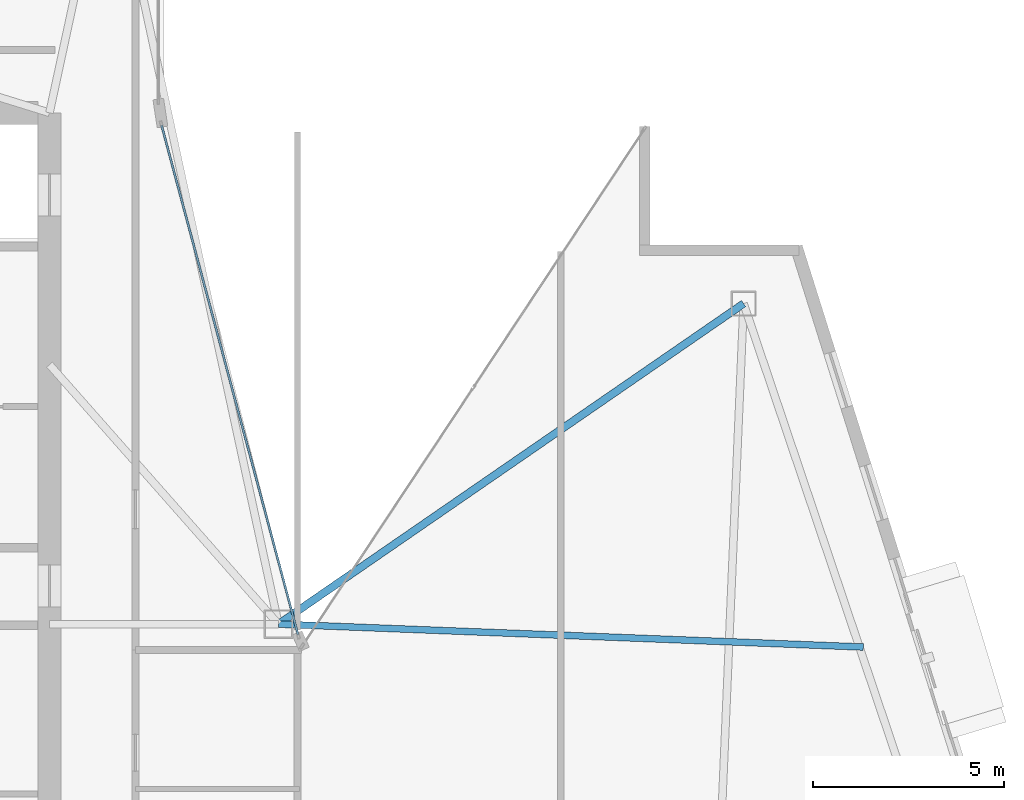
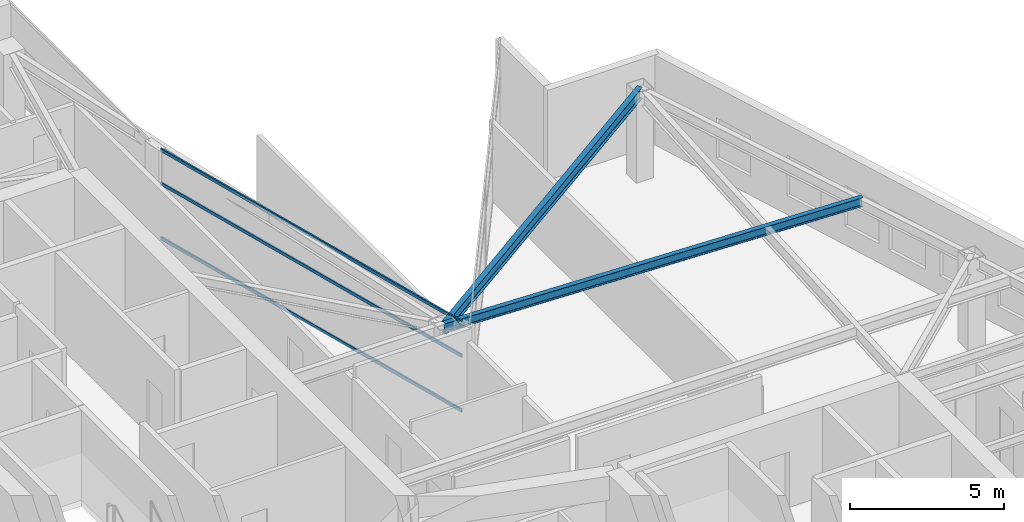
# One storey, part 12 of 28: 3 members, 2 beams, 1 element without a shape of its own.
"""IFC4 building model written with IfcOpenShell, lengths in metres."""

from ifc_helpers import new_model, si_unit, direction, frame, origin, origin_2d, place, context, subcontext, project, spatial, hollow_rectangle, i_section, extrude, material, layer, layer_set, material_profile, profile_set, type_object, element, aggregate, save


model = new_model("IFC4")

# Units and contexts
model_context = context("Model", 3, precision=1e-05, world=origin(), true_north=direction((0.0, 1.0)))
body_context = subcontext(model_context, "Body", "Model", "MODEL_VIEW")
ifc_project = project(units=[si_unit("LENGTHUNIT", "METRE"), si_unit("AREAUNIT", "SQUARE_METRE"), si_unit("VOLUMEUNIT", "CUBIC_METRE"), si_unit("PLANEANGLEUNIT", "RADIAN"), si_unit("MASSUNIT", "GRAM", prefix="KILO")], contexts=[model_context])

# Site, building, storey
site_placement = place(None, origin())
site = spatial("IfcSite", under=ifc_project, at=site_placement, CompositionType="ELEMENT")
building_placement = place(site_placement, origin())
building = spatial("IfcBuilding", under=site, at=building_placement, Name="Calvorn Quay Hotel", CompositionType="ELEMENT")
storey_placement = place(building_placement, frame((0.0, 0.0, 267.300048828125)))
storey = spatial("IfcBuildingStorey", under=building, at=storey_placement, Name="L66", CompositionType="ELEMENT", Elevation=267.300048828125)

# Beams
ifc_material_1 = material(Name="Steel Q355B", Category="steel")
ifc_material_profile_1 = material_profile(ifc_material_1, i_section(OverallWidth=0.175048828125, OverallDepth=0.35009765625, WebThickness=0.007080078125, FlangeThickness=0.010986328125, FilletRadius=0.013916015625, at=origin_2d()), Name="HN350x175x7x11")
ifc_profile_set_1 = profile_set([ifc_material_profile_1], Name="Steel Q355B")
beam_type_1 = type_object("IfcBeamType", Name="BM-JOIST-SEC", PredefinedType="JOIST", material=ifc_profile_set_1)
beam_1_placement = place(storey_placement, frame((21.0, 25.0, 3.364990234375), z_axis=(0.999234392811, -0.039123244039, 0.0), x_axis=(0.039123244039, 0.999234392811, 0.0)))
element("IfcBeam", 1, at=beam_1_placement, inside=storey, type_object=beam_type_1, Name="Beam BJ-L66-E3", PredefinedType="JOIST", context=body_context, shape_type="SweptSolid", body=[
    extrude(i_section(OverallWidth=0.175048828125, OverallDepth=0.35009765625, WebThickness=0.007080078125, FlangeThickness=0.010986328125, FilletRadius=0.013916015625, at=origin_2d()), origin(), (0.0, 0.0, 1.0), 15.338623046875),
])
ifc_material_2 = material(Name="Steel Q355B", Category="steel")
ifc_material_profile_2 = material_profile(ifc_material_2, i_section(OverallWidth=0.199951171875, OverallDepth=0.449951171875, WebThickness=0.009033203125, FlangeThickness=0.013916015625, FilletRadius=0.01611328125, at=origin_2d()), Name="HN450x200x9x14")
ifc_profile_set_2 = profile_set([ifc_material_profile_2], Name="Steel Q355B")
beam_type_2 = type_object("IfcBeamType", Name="BM-SPANDREL-Z3", PredefinedType="SPANDREL", material=ifc_profile_set_2)
beam_2_placement = place(storey_placement, frame((33.19091796875, 33.39990234375, 3.31494140625), z_axis=(-0.823453496714, -0.567383766731, 0.0), x_axis=(0.567383766731, -0.823453496714, 0.0)))
element("IfcBeam", 2, at=beam_2_placement, inside=storey, type_object=beam_type_2, Name="Beam BSP-L66-E3", PredefinedType="SPANDREL", context=body_context, shape_type="SweptSolid", body=[
    extrude(i_section(OverallWidth=0.199951171875, OverallDepth=0.449951171875, WebThickness=0.009033203125, FlangeThickness=0.013916015625, FilletRadius=0.01611328125, at=origin_2d()), origin(), (0.0, 0.0, 1.0), 14.8046875),
])

# Curtain wall, members
ifc_material_3 = material(Name="Champagne Bronze Anodised Aluminium and Low-E Glass", Category="aluminium")
ifc_layer = layer(ifc_material_3, 0.219970703125)
ifc_layer_set = layer_set([ifc_layer], Name="CW-SYS-Z4")
curtain_wall_type = type_object("IfcCurtainWallType", Name="CW-SYS-Z4", PredefinedType="NOTDEFINED", material=ifc_layer_set)
curtain_wall_placement = place(storey_placement, origin())
curtain_wall = element("IfcCurtainWall", 3, at=curtain_wall_placement, inside=storey, type_object=curtain_wall_type, Name="Inner Court Curtain Wall L66-IC1", PredefinedType="NOTDEFINED")
ifc_material_4 = material(Name="Champagne Bronze Anodised Aluminium 6063-T6", Category="aluminium")
ifc_material_profile_3 = material_profile(ifc_material_4, hollow_rectangle(XDim=0.054931640625, YDim=0.1298828125, WallThickness=0.003173828125, at=origin_2d()), Name="ALU-T130x55x3.2")
ifc_profile_set_3 = profile_set([ifc_material_profile_3], Name="Champagne Bronze Anodised Aluminium 6063-T6")
member_type = type_object("IfcMemberType", Name="CW-SYS-Z4-TRN", PredefinedType="USERDEFINED", material=ifc_profile_set_3)
member_1_placement = place(storey_placement, frame((21.512451171875, 24.72802734375, 0.030029296875), z_axis=(-0.258781136883, 0.965935982969, 0.0), x_axis=(-0.965935982969, -0.258781136883, 0.0)))
member_1 = element("IfcMember", 4, at=member_1_placement, type_object=member_type, Name="CW-L66-IC1 transom 1.1", ObjectType="TRANSOM", PredefinedType="USERDEFINED", context=body_context, shape_type="SweptSolid", body=[
    extrude(hollow_rectangle(XDim=0.054931640625, YDim=0.1298828125, WallThickness=0.003173828125, at=origin_2d()), origin(), (0.0, 0.0, 1.0), 13.814453125),
])
member_2_placement = place(storey_placement, frame((21.512451171875, 24.72802734375, 2.199951171875), z_axis=(-0.258781136883, 0.965935982969, 0.0), x_axis=(-0.965935982969, -0.258781136883, 0.0)))
member_2 = element("IfcMember", 5, at=member_2_placement, type_object=member_type, Name="CW-L66-IC1 transom 1.2", ObjectType="TRANSOM", PredefinedType="USERDEFINED", context=body_context, shape_type="SweptSolid", body=[
    extrude(hollow_rectangle(XDim=0.054931640625, YDim=0.1298828125, WallThickness=0.003173828125, at=origin_2d()), origin(), (0.0, 0.0, 1.0), 13.814453125),
])
member_3_placement = place(storey_placement, frame((21.512451171875, 24.72802734375, 3.530029296875), z_axis=(-0.258781136883, 0.965935982969, 0.0), x_axis=(-0.965935982969, -0.258781136883, 0.0)))
member_3 = element("IfcMember", 6, at=member_3_placement, type_object=member_type, Name="CW-L66-IC1 transom 1.3", ObjectType="TRANSOM", PredefinedType="USERDEFINED", context=body_context, shape_type="SweptSolid", body=[
    extrude(hollow_rectangle(XDim=0.054931640625, YDim=0.1298828125, WallThickness=0.003173828125, at=origin_2d()), origin(), (0.0, 0.0, 1.0), 13.814453125),
])
aggregate(curtain_wall, [member_1, member_2, member_3])

save(model, "model.ifc")
